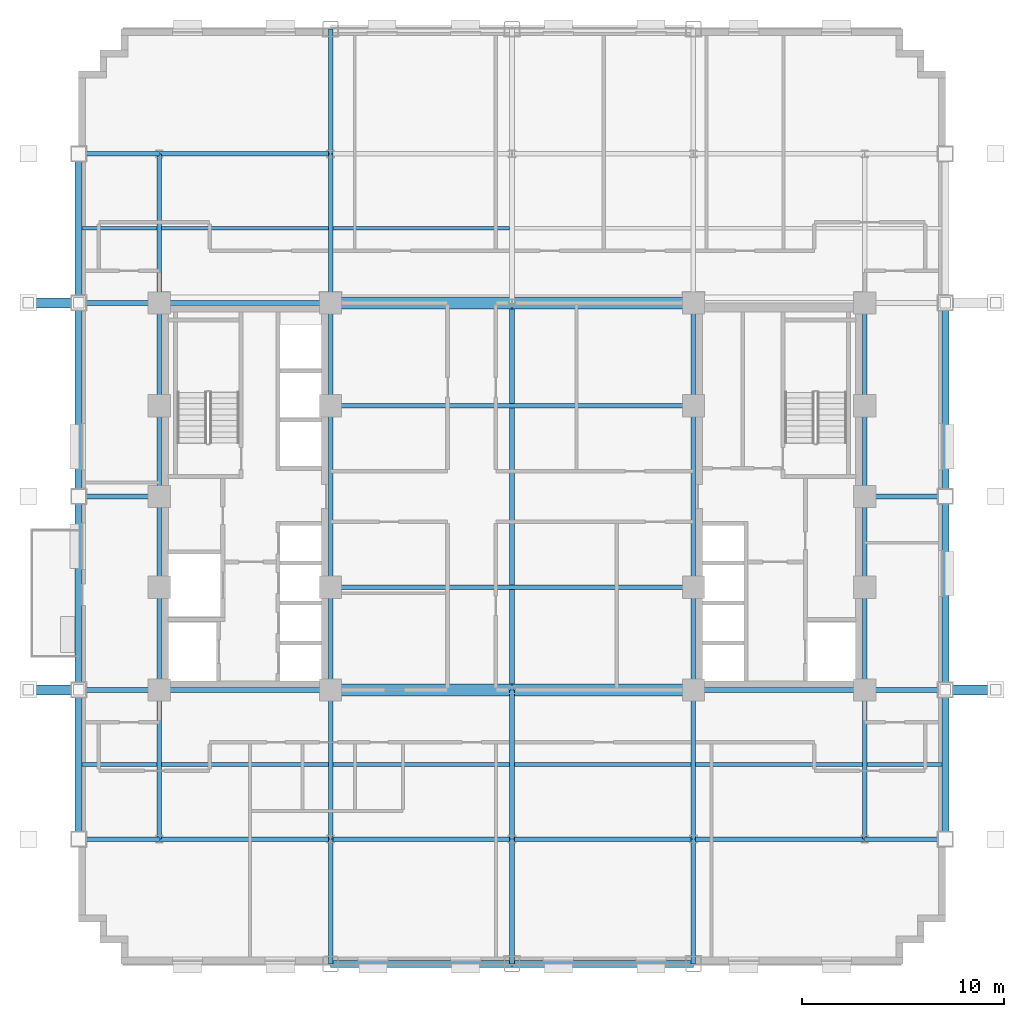
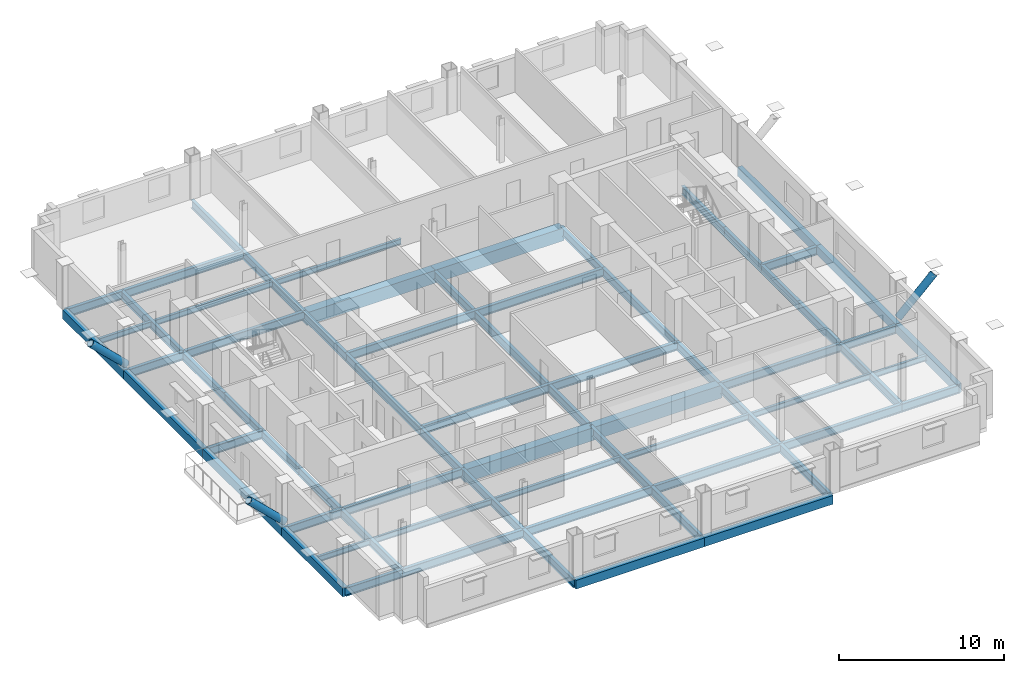
# One storey, part 4 of 13: 66 beams, 3 members.
"""IFC4 building model written with IfcOpenShell, lengths in metres."""

from ifc_helpers import new_model, si_unit, direction, frame, origin, origin_2d, place, context, subcontext, project, spatial, rectangle, hollow_circle, i_section, extrude, material, material_profile, profile_set, type_object, element, save


model = new_model("IFC4")

# Units and contexts
model_context = context("Model", 3, precision=1e-05, world=origin(), true_north=direction((0.0, 1.0)))
body_context = subcontext(model_context, "Body", "Model", "MODEL_VIEW")
ifc_project = project(units=[si_unit("LENGTHUNIT", "METRE"), si_unit("AREAUNIT", "SQUARE_METRE"), si_unit("VOLUMEUNIT", "CUBIC_METRE"), si_unit("PLANEANGLEUNIT", "RADIAN"), si_unit("MASSUNIT", "GRAM", prefix="KILO")], contexts=[model_context])

# Site, building, storey
site_placement = place(None, origin())
site = spatial("IfcSite", under=ifc_project, at=site_placement, CompositionType="ELEMENT")
building_placement = place(site_placement, origin())
building = spatial("IfcBuilding", under=site, at=building_placement, Name="Nuvemarco Arch Tower", CompositionType="ELEMENT")
storey_placement = place(building_placement, frame((0.0, 0.0, 82.35009765625)))
storey = spatial("IfcBuildingStorey", under=building, at=storey_placement, Name="L21", CompositionType="ELEMENT", Elevation=82.35009765625)

# Beams
ifc_material_1 = material(Name="Concrete C60/75", Category="concrete")
ifc_material_profile_1 = material_profile(ifc_material_1, rectangle(XDim=0.60009765625, YDim=0.949951171875, at=origin_2d()), Name="RC-BM-600x950")
ifc_profile_set_1 = profile_set([ifc_material_profile_1], Name="Concrete C60/75")
beam_type_1 = type_object("IfcBeamType", Name="BM-COUP-RC", PredefinedType="LINTEL", material=ifc_profile_set_1)
for number, where, z_axis, x_axis, name in (
    (1, (-9.0, -9.60009765625, -0.755126953125), (1.0, 0.0, 0.0), (0.0, 1.0, 0.0), "L21 structural beam BGEW_L21_0_-9.6_-9.0"),
    (2, (0.0, -9.60009765625, -0.755126953125), (1.0, 0.0, 0.0), (0.0, 1.0, 0.0), "L21 structural beam BGEW_L21_0_-9.6_+0.0"),
    (3, (-9.0, 9.60009765625, -0.755126953125), (1.0, 0.0, 0.0), (0.0, 1.0, 0.0), "L21 structural beam BGEW_L21_0_+9.6_-9.0"),
    (4, (0.0, 9.60009765625, -0.755126953125), (1.0, 0.0, 0.0), (0.0, 1.0, 0.0), "L21 structural beam BGEW_L21_0_+9.6_+0.0"),
):
    element("IfcBeam", number, at=place(storey_placement, frame(where, z_axis=z_axis, x_axis=x_axis)), inside=storey, type_object=beam_type_1, Name=name, PredefinedType="LINTEL", context=body_context, shape_type="SweptSolid", body=[
        extrude(rectangle(XDim=0.60009765625, YDim=0.949951171875, at=origin_2d()), origin(), (0.0, 0.0, 1.0), 9.0),
    ])
ifc_material_2 = material(Name="Steel S355", Category="steel")
ifc_material_profile_2 = material_profile(ifc_material_2, i_section(OverallWidth=0.22998046875, OverallDepth=0.616943359375, WebThickness=0.01318359375, FlangeThickness=0.022216796875, FilletRadius=0.01611328125, at=origin_2d()), Name="W610x140")
ifc_profile_set_2 = profile_set([ifc_material_profile_2], Name="Steel S355")
beam_type_2 = type_object("IfcBeamType", Name="BM-GIRD-610", PredefinedType="BEAM", material=ifc_profile_set_2)
beam_1_placement = place(storey_placement, frame((-17.5, -17.0, -0.588623046875), z_axis=(0.0, 1.0, 0.0), x_axis=(-1.0, 0.0, 0.0)))
element("IfcBeam", 5, at=beam_1_placement, inside=storey, type_object=beam_type_2, Name="L21 structural beam BGNS_L21_0_-17.5_-17.0", PredefinedType="BEAM", context=body_context, shape_type="SweptSolid", body=[
    extrude(i_section(OverallWidth=0.22998046875, OverallDepth=0.616943359375, WebThickness=0.01318359375, FlangeThickness=0.022216796875, FilletRadius=0.01611328125, at=origin_2d()), origin(), (0.0, 0.0, 1.0), 7.39990234375),
])
beam_2_placement = place(storey_placement, frame((-17.5, -9.60009765625, -0.588623046875), z_axis=(0.0, 1.0, 0.0), x_axis=(-1.0, 0.0, 0.0)))
element("IfcBeam", 6, at=beam_2_placement, inside=storey, type_object=beam_type_2, Name="L21 structural beam BGNS_L21_0_-17.5_-9.6", PredefinedType="BEAM", context=body_context, shape_type="SweptSolid", body=[
    extrude(i_section(OverallWidth=0.22998046875, OverallDepth=0.616943359375, WebThickness=0.01318359375, FlangeThickness=0.022216796875, FilletRadius=0.01611328125, at=origin_2d()), origin(), (0.0, 0.0, 1.0), 5.10009765625),
])
for number, where, z_axis, x_axis, name in (
    (7, (-17.5, -4.5, -0.588623046875), (0.0, 1.0, 0.0), (-1.0, 0.0, 0.0), "L21 structural beam BGNS_L21_0_-17.5_-4.5"),
    (8, (-17.5, 0.0, -0.588623046875), (0.0, 1.0, 0.0), (-1.0, 0.0, 0.0), "L21 structural beam BGNS_L21_0_-17.5_+0.0"),
):
    element("IfcBeam", number, at=place(storey_placement, frame(where, z_axis=z_axis, x_axis=x_axis)), inside=storey, type_object=beam_type_2, Name=name, PredefinedType="BEAM", context=body_context, shape_type="SweptSolid", body=[
        extrude(i_section(OverallWidth=0.22998046875, OverallDepth=0.616943359375, WebThickness=0.01318359375, FlangeThickness=0.022216796875, FilletRadius=0.01611328125, at=origin_2d()), origin(), (0.0, 0.0, 1.0), 4.5),
    ])
beam_3_placement = place(storey_placement, frame((-17.5, 4.5, -0.588623046875), z_axis=(0.0, 1.0, 0.0), x_axis=(-1.0, 0.0, 0.0)))
element("IfcBeam", 9, at=beam_3_placement, inside=storey, type_object=beam_type_2, Name="L21 structural beam BGNS_L21_0_-17.5_+4.5", PredefinedType="BEAM", context=body_context, shape_type="SweptSolid", body=[
    extrude(i_section(OverallWidth=0.22998046875, OverallDepth=0.616943359375, WebThickness=0.01318359375, FlangeThickness=0.022216796875, FilletRadius=0.01611328125, at=origin_2d()), origin(), (0.0, 0.0, 1.0), 5.10009765625),
])
beam_4_placement = place(storey_placement, frame((-17.5, 9.60009765625, -0.588623046875), z_axis=(0.0, 1.0, 0.0), x_axis=(-1.0, 0.0, 0.0)))
element("IfcBeam", 10, at=beam_4_placement, inside=storey, type_object=beam_type_2, Name="L21 structural beam BGNS_L21_0_-17.5_+9.6", PredefinedType="BEAM", context=body_context, shape_type="SweptSolid", body=[
    extrude(i_section(OverallWidth=0.22998046875, OverallDepth=0.616943359375, WebThickness=0.01318359375, FlangeThickness=0.022216796875, FilletRadius=0.01611328125, at=origin_2d()), origin(), (0.0, 0.0, 1.0), 7.39990234375),
])
beam_5_placement = place(storey_placement, frame((-9.0, -23.199951171875, -0.588623046875), z_axis=(0.0, 1.0, 0.0), x_axis=(-1.0, 0.0, 0.0)))
element("IfcBeam", 11, at=beam_5_placement, inside=storey, type_object=beam_type_2, Name="L21 structural beam BGNS_L21_0_-9.0_-23.2", PredefinedType="BEAM", context=body_context, shape_type="SweptSolid", body=[
    extrude(i_section(OverallWidth=0.22998046875, OverallDepth=0.616943359375, WebThickness=0.01318359375, FlangeThickness=0.022216796875, FilletRadius=0.01611328125, at=origin_2d()), origin(), (0.0, 0.0, 1.0), 6.199951171875),
])
beam_6_placement = place(storey_placement, frame((-9.0, -17.0, -0.588623046875), z_axis=(0.0, 1.0, 0.0), x_axis=(-1.0, 0.0, 0.0)))
element("IfcBeam", 12, at=beam_6_placement, inside=storey, type_object=beam_type_2, Name="L21 structural beam BGNS_L21_0_-9.0_-17.0", PredefinedType="BEAM", context=body_context, shape_type="SweptSolid", body=[
    extrude(i_section(OverallWidth=0.22998046875, OverallDepth=0.616943359375, WebThickness=0.01318359375, FlangeThickness=0.022216796875, FilletRadius=0.01611328125, at=origin_2d()), origin(), (0.0, 0.0, 1.0), 7.39990234375),
])
beam_7_placement = place(storey_placement, frame((-9.0, -9.60009765625, -0.588623046875), z_axis=(0.0, 1.0, 0.0), x_axis=(-1.0, 0.0, 0.0)))
element("IfcBeam", 13, at=beam_7_placement, inside=storey, type_object=beam_type_2, Name="L21 structural beam BGNS_L21_0_-9.0_-9.6", PredefinedType="BEAM", context=body_context, shape_type="SweptSolid", body=[
    extrude(i_section(OverallWidth=0.22998046875, OverallDepth=0.616943359375, WebThickness=0.01318359375, FlangeThickness=0.022216796875, FilletRadius=0.01611328125, at=origin_2d()), origin(), (0.0, 0.0, 1.0), 5.10009765625),
])
beam_8_placement = place(storey_placement, frame((-9.0, -4.5, -0.588623046875), z_axis=(0.0, 1.0, 0.0), x_axis=(-1.0, 0.0, 0.0)))
element("IfcBeam", 14, at=beam_8_placement, inside=storey, type_object=beam_type_2, Name="L21 structural beam BGNS_L21_0_-9.0_-4.5", PredefinedType="BEAM", context=body_context, shape_type="SweptSolid", body=[
    extrude(i_section(OverallWidth=0.22998046875, OverallDepth=0.616943359375, WebThickness=0.01318359375, FlangeThickness=0.022216796875, FilletRadius=0.01611328125, at=origin_2d()), origin(), (0.0, 0.0, 1.0), 9.0),
])
beam_9_placement = place(storey_placement, frame((-9.0, 4.5, -0.588623046875), z_axis=(0.0, 1.0, 0.0), x_axis=(-1.0, 0.0, 0.0)))
element("IfcBeam", 15, at=beam_9_placement, inside=storey, type_object=beam_type_2, Name="L21 structural beam BGNS_L21_0_-9.0_+4.5", PredefinedType="BEAM", context=body_context, shape_type="SweptSolid", body=[
    extrude(i_section(OverallWidth=0.22998046875, OverallDepth=0.616943359375, WebThickness=0.01318359375, FlangeThickness=0.022216796875, FilletRadius=0.01611328125, at=origin_2d()), origin(), (0.0, 0.0, 1.0), 5.10009765625),
])
beam_10_placement = place(storey_placement, frame((-9.0, 9.60009765625, -0.588623046875), z_axis=(0.0, 1.0, 0.0), x_axis=(-1.0, 0.0, 0.0)))
element("IfcBeam", 16, at=beam_10_placement, inside=storey, type_object=beam_type_2, Name="L21 structural beam BGNS_L21_0_-9.0_+9.6", PredefinedType="BEAM", context=body_context, shape_type="SweptSolid", body=[
    extrude(i_section(OverallWidth=0.22998046875, OverallDepth=0.616943359375, WebThickness=0.01318359375, FlangeThickness=0.022216796875, FilletRadius=0.01611328125, at=origin_2d()), origin(), (0.0, 0.0, 1.0), 7.39990234375),
])
for number, where, z_axis, x_axis, name in (
    (17, (-9.0, 17.0, -0.588623046875), (0.0, 1.0, 0.0), (-1.0, 0.0, 0.0), "L21 structural beam BGNS_L21_0_-9.0_+17.0"),
    (18, (0.0, -23.199951171875, -0.588623046875), (0.0, 1.0, 0.0), (-1.0, 0.0, 0.0), "L21 structural beam BGNS_L21_0_+0.0_-23.2"),
):
    element("IfcBeam", number, at=place(storey_placement, frame(where, z_axis=z_axis, x_axis=x_axis)), inside=storey, type_object=beam_type_2, Name=name, PredefinedType="BEAM", context=body_context, shape_type="SweptSolid", body=[
        extrude(i_section(OverallWidth=0.22998046875, OverallDepth=0.616943359375, WebThickness=0.01318359375, FlangeThickness=0.022216796875, FilletRadius=0.01611328125, at=origin_2d()), origin(), (0.0, 0.0, 1.0), 6.199951171875),
    ])
beam_11_placement = place(storey_placement, frame((0.0, -17.0, -0.588623046875), z_axis=(0.0, 1.0, 0.0), x_axis=(-1.0, 0.0, 0.0)))
element("IfcBeam", 19, at=beam_11_placement, inside=storey, type_object=beam_type_2, Name="L21 structural beam BGNS_L21_0_+0.0_-17.0", PredefinedType="BEAM", context=body_context, shape_type="SweptSolid", body=[
    extrude(i_section(OverallWidth=0.22998046875, OverallDepth=0.616943359375, WebThickness=0.01318359375, FlangeThickness=0.022216796875, FilletRadius=0.01611328125, at=origin_2d()), origin(), (0.0, 0.0, 1.0), 7.39990234375),
])
beam_12_placement = place(storey_placement, frame((0.0, -9.60009765625, -0.588623046875), z_axis=(0.0, 1.0, 0.0), x_axis=(-1.0, 0.0, 0.0)))
element("IfcBeam", 20, at=beam_12_placement, inside=storey, type_object=beam_type_2, Name="L21 structural beam BGNS_L21_0_+0.0_-9.6", PredefinedType="BEAM", context=body_context, shape_type="SweptSolid", body=[
    extrude(i_section(OverallWidth=0.22998046875, OverallDepth=0.616943359375, WebThickness=0.01318359375, FlangeThickness=0.022216796875, FilletRadius=0.01611328125, at=origin_2d()), origin(), (0.0, 0.0, 1.0), 19.2001953125),
])
beam_13_placement = place(storey_placement, frame((9.0, -23.199951171875, -0.588623046875), z_axis=(0.0, 1.0, 0.0), x_axis=(-1.0, 0.0, 0.0)))
element("IfcBeam", 21, at=beam_13_placement, inside=storey, type_object=beam_type_2, Name="L21 structural beam BGNS_L21_0_+9.0_-23.2", PredefinedType="BEAM", context=body_context, shape_type="SweptSolid", body=[
    extrude(i_section(OverallWidth=0.22998046875, OverallDepth=0.616943359375, WebThickness=0.01318359375, FlangeThickness=0.022216796875, FilletRadius=0.01611328125, at=origin_2d()), origin(), (0.0, 0.0, 1.0), 6.199951171875),
])
beam_14_placement = place(storey_placement, frame((9.0, -17.0, -0.588623046875), z_axis=(0.0, 1.0, 0.0), x_axis=(-1.0, 0.0, 0.0)))
element("IfcBeam", 22, at=beam_14_placement, inside=storey, type_object=beam_type_2, Name="L21 structural beam BGNS_L21_0_+9.0_-17.0", PredefinedType="BEAM", context=body_context, shape_type="SweptSolid", body=[
    extrude(i_section(OverallWidth=0.22998046875, OverallDepth=0.616943359375, WebThickness=0.01318359375, FlangeThickness=0.022216796875, FilletRadius=0.01611328125, at=origin_2d()), origin(), (0.0, 0.0, 1.0), 7.39990234375),
])
beam_15_placement = place(storey_placement, frame((9.0, -9.60009765625, -0.588623046875), z_axis=(0.0, 1.0, 0.0), x_axis=(-1.0, 0.0, 0.0)))
element("IfcBeam", 23, at=beam_15_placement, inside=storey, type_object=beam_type_2, Name="L21 structural beam BGNS_L21_0_+9.0_-9.6", PredefinedType="BEAM", context=body_context, shape_type="SweptSolid", body=[
    extrude(i_section(OverallWidth=0.22998046875, OverallDepth=0.616943359375, WebThickness=0.01318359375, FlangeThickness=0.022216796875, FilletRadius=0.01611328125, at=origin_2d()), origin(), (0.0, 0.0, 1.0), 5.10009765625),
])
beam_16_placement = place(storey_placement, frame((9.0, -4.5, -0.588623046875), z_axis=(0.0, 1.0, 0.0), x_axis=(-1.0, 0.0, 0.0)))
element("IfcBeam", 24, at=beam_16_placement, inside=storey, type_object=beam_type_2, Name="L21 structural beam BGNS_L21_0_+9.0_-4.5", PredefinedType="BEAM", context=body_context, shape_type="SweptSolid", body=[
    extrude(i_section(OverallWidth=0.22998046875, OverallDepth=0.616943359375, WebThickness=0.01318359375, FlangeThickness=0.022216796875, FilletRadius=0.01611328125, at=origin_2d()), origin(), (0.0, 0.0, 1.0), 9.0),
])
beam_17_placement = place(storey_placement, frame((9.0, 4.5, -0.588623046875), z_axis=(0.0, 1.0, 0.0), x_axis=(-1.0, 0.0, 0.0)))
element("IfcBeam", 25, at=beam_17_placement, inside=storey, type_object=beam_type_2, Name="L21 structural beam BGNS_L21_0_+9.0_+4.5", PredefinedType="BEAM", context=body_context, shape_type="SweptSolid", body=[
    extrude(i_section(OverallWidth=0.22998046875, OverallDepth=0.616943359375, WebThickness=0.01318359375, FlangeThickness=0.022216796875, FilletRadius=0.01611328125, at=origin_2d()), origin(), (0.0, 0.0, 1.0), 5.10009765625),
])
beam_18_placement = place(storey_placement, frame((17.5, -17.0, -0.588623046875), z_axis=(0.0, 1.0, 0.0), x_axis=(-1.0, 0.0, 0.0)))
element("IfcBeam", 26, at=beam_18_placement, inside=storey, type_object=beam_type_2, Name="L21 structural beam BGNS_L21_0_+17.5_-17.0", PredefinedType="BEAM", context=body_context, shape_type="SweptSolid", body=[
    extrude(i_section(OverallWidth=0.22998046875, OverallDepth=0.616943359375, WebThickness=0.01318359375, FlangeThickness=0.022216796875, FilletRadius=0.01611328125, at=origin_2d()), origin(), (0.0, 0.0, 1.0), 7.39990234375),
])
beam_19_placement = place(storey_placement, frame((17.5, -9.60009765625, -0.588623046875), z_axis=(0.0, 1.0, 0.0), x_axis=(-1.0, 0.0, 0.0)))
element("IfcBeam", 27, at=beam_19_placement, inside=storey, type_object=beam_type_2, Name="L21 structural beam BGNS_L21_0_+17.5_-9.6", PredefinedType="BEAM", context=body_context, shape_type="SweptSolid", body=[
    extrude(i_section(OverallWidth=0.22998046875, OverallDepth=0.616943359375, WebThickness=0.01318359375, FlangeThickness=0.022216796875, FilletRadius=0.01611328125, at=origin_2d()), origin(), (0.0, 0.0, 1.0), 5.10009765625),
])
for number, where, z_axis, x_axis, name in (
    (28, (17.5, -4.5, -0.588623046875), (0.0, 1.0, 0.0), (-1.0, 0.0, 0.0), "L21 structural beam BGNS_L21_0_+17.5_-4.5"),
    (29, (17.5, 0.0, -0.588623046875), (0.0, 1.0, 0.0), (-1.0, 0.0, 0.0), "L21 structural beam BGNS_L21_0_+17.5_+0.0"),
):
    element("IfcBeam", number, at=place(storey_placement, frame(where, z_axis=z_axis, x_axis=x_axis)), inside=storey, type_object=beam_type_2, Name=name, PredefinedType="BEAM", context=body_context, shape_type="SweptSolid", body=[
        extrude(i_section(OverallWidth=0.22998046875, OverallDepth=0.616943359375, WebThickness=0.01318359375, FlangeThickness=0.022216796875, FilletRadius=0.01611328125, at=origin_2d()), origin(), (0.0, 0.0, 1.0), 4.5),
    ])
beam_20_placement = place(storey_placement, frame((17.5, 4.5, -0.588623046875), z_axis=(0.0, 1.0, 0.0), x_axis=(-1.0, 0.0, 0.0)))
element("IfcBeam", 30, at=beam_20_placement, inside=storey, type_object=beam_type_2, Name="L21 structural beam BGNS_L21_0_+17.5_+4.5", PredefinedType="BEAM", context=body_context, shape_type="SweptSolid", body=[
    extrude(i_section(OverallWidth=0.22998046875, OverallDepth=0.616943359375, WebThickness=0.01318359375, FlangeThickness=0.022216796875, FilletRadius=0.01611328125, at=origin_2d()), origin(), (0.0, 0.0, 1.0), 5.10009765625),
])
beam_21_placement = place(storey_placement, frame((-21.5, -17.0, -0.588623046875), z_axis=(1.0, 0.0, 0.0), x_axis=(0.0, 1.0, 0.0)))
element("IfcBeam", 31, at=beam_21_placement, inside=storey, type_object=beam_type_2, Name="L21 structural beam BGEW_L21_0_-17.0_-21.5", PredefinedType="BEAM", context=body_context, shape_type="SweptSolid", body=[
    extrude(i_section(OverallWidth=0.22998046875, OverallDepth=0.616943359375, WebThickness=0.01318359375, FlangeThickness=0.022216796875, FilletRadius=0.01611328125, at=origin_2d()), origin(), (0.0, 0.0, 1.0), 4.0),
])
beam_22_placement = place(storey_placement, frame((-17.5, -17.0, -0.588623046875), z_axis=(1.0, 0.0, 0.0), x_axis=(0.0, 1.0, 0.0)))
element("IfcBeam", 32, at=beam_22_placement, inside=storey, type_object=beam_type_2, Name="L21 structural beam BGEW_L21_0_-17.0_-17.5", PredefinedType="BEAM", context=body_context, shape_type="SweptSolid", body=[
    extrude(i_section(OverallWidth=0.22998046875, OverallDepth=0.616943359375, WebThickness=0.01318359375, FlangeThickness=0.022216796875, FilletRadius=0.01611328125, at=origin_2d()), origin(), (0.0, 0.0, 1.0), 8.5),
])
for number, where, z_axis, x_axis, name in (
    (33, (-9.0, -17.0, -0.588623046875), (1.0, 0.0, 0.0), (0.0, 1.0, 0.0), "L21 structural beam BGEW_L21_0_-17.0_-9.0"),
    (34, (0.0, -17.0, -0.588623046875), (1.0, 0.0, 0.0), (0.0, 1.0, 0.0), "L21 structural beam BGEW_L21_0_-17.0_+0.0"),
):
    element("IfcBeam", number, at=place(storey_placement, frame(where, z_axis=z_axis, x_axis=x_axis)), inside=storey, type_object=beam_type_2, Name=name, PredefinedType="BEAM", context=body_context, shape_type="SweptSolid", body=[
        extrude(i_section(OverallWidth=0.22998046875, OverallDepth=0.616943359375, WebThickness=0.01318359375, FlangeThickness=0.022216796875, FilletRadius=0.01611328125, at=origin_2d()), origin(), (0.0, 0.0, 1.0), 9.0),
    ])
beam_23_placement = place(storey_placement, frame((9.0, -17.0, -0.588623046875), z_axis=(1.0, 0.0, 0.0), x_axis=(0.0, 1.0, 0.0)))
element("IfcBeam", 35, at=beam_23_placement, inside=storey, type_object=beam_type_2, Name="L21 structural beam BGEW_L21_0_-17.0_+9.0", PredefinedType="BEAM", context=body_context, shape_type="SweptSolid", body=[
    extrude(i_section(OverallWidth=0.22998046875, OverallDepth=0.616943359375, WebThickness=0.01318359375, FlangeThickness=0.022216796875, FilletRadius=0.01611328125, at=origin_2d()), origin(), (0.0, 0.0, 1.0), 8.5),
])
for number, where, z_axis, x_axis, name in (
    (36, (17.5, -17.0, -0.588623046875), (1.0, 0.0, 0.0), (0.0, 1.0, 0.0), "L21 structural beam BGEW_L21_0_-17.0_+17.5"),
    (37, (-21.5, -9.60009765625, -0.588623046875), (1.0, 0.0, 0.0), (0.0, 1.0, 0.0), "L21 structural beam BGEW_L21_0_-9.6_-21.5"),
):
    element("IfcBeam", number, at=place(storey_placement, frame(where, z_axis=z_axis, x_axis=x_axis)), inside=storey, type_object=beam_type_2, Name=name, PredefinedType="BEAM", context=body_context, shape_type="SweptSolid", body=[
        extrude(i_section(OverallWidth=0.22998046875, OverallDepth=0.616943359375, WebThickness=0.01318359375, FlangeThickness=0.022216796875, FilletRadius=0.01611328125, at=origin_2d()), origin(), (0.0, 0.0, 1.0), 4.0),
    ])
for number, where, z_axis, x_axis, name in (
    (38, (-17.5, -9.60009765625, -0.588623046875), (1.0, 0.0, 0.0), (0.0, 1.0, 0.0), "L21 structural beam BGEW_L21_0_-9.6_-17.5"),
    (39, (9.0, -9.60009765625, -0.588623046875), (1.0, 0.0, 0.0), (0.0, 1.0, 0.0), "L21 structural beam BGEW_L21_0_-9.6_+9.0"),
):
    element("IfcBeam", number, at=place(storey_placement, frame(where, z_axis=z_axis, x_axis=x_axis)), inside=storey, type_object=beam_type_2, Name=name, PredefinedType="BEAM", context=body_context, shape_type="SweptSolid", body=[
        extrude(i_section(OverallWidth=0.22998046875, OverallDepth=0.616943359375, WebThickness=0.01318359375, FlangeThickness=0.022216796875, FilletRadius=0.01611328125, at=origin_2d()), origin(), (0.0, 0.0, 1.0), 8.5),
    ])
beam_24_placement = place(storey_placement, frame((17.5, -9.60009765625, -0.588623046875), z_axis=(1.0, 0.0, 0.0), x_axis=(0.0, 1.0, 0.0)))
element("IfcBeam", 40, at=beam_24_placement, inside=storey, type_object=beam_type_2, Name="L21 structural beam BGEW_L21_0_-9.6_+17.5", PredefinedType="BEAM", context=body_context, shape_type="SweptSolid", body=[
    extrude(i_section(OverallWidth=0.22998046875, OverallDepth=0.616943359375, WebThickness=0.01318359375, FlangeThickness=0.022216796875, FilletRadius=0.01611328125, at=origin_2d()), origin(), (0.0, 0.0, 1.0), 4.0),
])
beam_25_placement = place(storey_placement, frame((-9.0, -4.5, -0.588623046875), z_axis=(1.0, 0.0, 0.0), x_axis=(0.0, 1.0, 0.0)))
element("IfcBeam", 41, at=beam_25_placement, inside=storey, type_object=beam_type_2, Name="L21 structural beam BGEW_L21_0_-4.5_-9.0", PredefinedType="BEAM", context=body_context, shape_type="SweptSolid", body=[
    extrude(i_section(OverallWidth=0.22998046875, OverallDepth=0.616943359375, WebThickness=0.01318359375, FlangeThickness=0.022216796875, FilletRadius=0.01611328125, at=origin_2d()), origin(), (0.0, 0.0, 1.0), 18.0),
])
for number, where, z_axis, x_axis, name in (
    (42, (-21.5, 0.0, -0.588623046875), (1.0, 0.0, 0.0), (0.0, 1.0, 0.0), "L21 structural beam BGEW_L21_0_+0.0_-21.5"),
    (43, (17.5, 0.0, -0.588623046875), (1.0, 0.0, 0.0), (0.0, 1.0, 0.0), "L21 structural beam BGEW_L21_0_+0.0_+17.5"),
):
    element("IfcBeam", number, at=place(storey_placement, frame(where, z_axis=z_axis, x_axis=x_axis)), inside=storey, type_object=beam_type_2, Name=name, PredefinedType="BEAM", context=body_context, shape_type="SweptSolid", body=[
        extrude(i_section(OverallWidth=0.22998046875, OverallDepth=0.616943359375, WebThickness=0.01318359375, FlangeThickness=0.022216796875, FilletRadius=0.01611328125, at=origin_2d()), origin(), (0.0, 0.0, 1.0), 4.0),
    ])
beam_26_placement = place(storey_placement, frame((-9.0, 4.5, -0.588623046875), z_axis=(1.0, 0.0, 0.0), x_axis=(0.0, 1.0, 0.0)))
element("IfcBeam", 44, at=beam_26_placement, inside=storey, type_object=beam_type_2, Name="L21 structural beam BGEW_L21_0_+4.5_-9.0", PredefinedType="BEAM", context=body_context, shape_type="SweptSolid", body=[
    extrude(i_section(OverallWidth=0.22998046875, OverallDepth=0.616943359375, WebThickness=0.01318359375, FlangeThickness=0.022216796875, FilletRadius=0.01611328125, at=origin_2d()), origin(), (0.0, 0.0, 1.0), 18.0),
])
beam_27_placement = place(storey_placement, frame((-21.5, 9.60009765625, -0.588623046875), z_axis=(1.0, 0.0, 0.0), x_axis=(0.0, 1.0, 0.0)))
element("IfcBeam", 45, at=beam_27_placement, inside=storey, type_object=beam_type_2, Name="L21 structural beam BGEW_L21_0_+9.6_-21.5", PredefinedType="BEAM", context=body_context, shape_type="SweptSolid", body=[
    extrude(i_section(OverallWidth=0.22998046875, OverallDepth=0.616943359375, WebThickness=0.01318359375, FlangeThickness=0.022216796875, FilletRadius=0.01611328125, at=origin_2d()), origin(), (0.0, 0.0, 1.0), 4.0),
])
beam_28_placement = place(storey_placement, frame((-17.5, 9.60009765625, -0.588623046875), z_axis=(1.0, 0.0, 0.0), x_axis=(0.0, 1.0, 0.0)))
element("IfcBeam", 46, at=beam_28_placement, inside=storey, type_object=beam_type_2, Name="L21 structural beam BGEW_L21_0_+9.6_-17.5", PredefinedType="BEAM", context=body_context, shape_type="SweptSolid", body=[
    extrude(i_section(OverallWidth=0.22998046875, OverallDepth=0.616943359375, WebThickness=0.01318359375, FlangeThickness=0.022216796875, FilletRadius=0.01611328125, at=origin_2d()), origin(), (0.0, 0.0, 1.0), 8.5),
])
beam_29_placement = place(storey_placement, frame((-21.5, 17.0, -0.588623046875), z_axis=(1.0, 0.0, 0.0), x_axis=(0.0, 1.0, 0.0)))
element("IfcBeam", 47, at=beam_29_placement, inside=storey, type_object=beam_type_2, Name="L21 structural beam BGEW_L21_0_+17.0_-21.5", PredefinedType="BEAM", context=body_context, shape_type="SweptSolid", body=[
    extrude(i_section(OverallWidth=0.22998046875, OverallDepth=0.616943359375, WebThickness=0.01318359375, FlangeThickness=0.022216796875, FilletRadius=0.01611328125, at=origin_2d()), origin(), (0.0, 0.0, 1.0), 4.0),
])
beam_30_placement = place(storey_placement, frame((-17.5, 17.0, -0.588623046875), z_axis=(1.0, 0.0, 0.0), x_axis=(0.0, 1.0, 0.0)))
element("IfcBeam", 48, at=beam_30_placement, inside=storey, type_object=beam_type_2, Name="L21 structural beam BGEW_L21_0_+17.0_-17.5", PredefinedType="BEAM", context=body_context, shape_type="SweptSolid", body=[
    extrude(i_section(OverallWidth=0.22998046875, OverallDepth=0.616943359375, WebThickness=0.01318359375, FlangeThickness=0.022216796875, FilletRadius=0.01611328125, at=origin_2d()), origin(), (0.0, 0.0, 1.0), 8.5),
])
ifc_material_profile_3 = material_profile(ifc_material_2, i_section(OverallWidth=0.179931640625, OverallDepth=0.4130859375, WebThickness=0.009765625, FlangeThickness=0.01611328125, FilletRadius=0.014892578125, at=origin_2d()), Name="W410x75")
ifc_profile_set_3 = profile_set([ifc_material_profile_3], Name="Steel S355")
beam_type_3 = type_object("IfcBeamType", Name="BM-JOIST-410", PredefinedType="JOIST", material=ifc_profile_set_3)
beam_31_placement = place(storey_placement, frame((-21.324951171875, -13.300048828125, -0.486572265625), z_axis=(1.0, 0.0, 0.0), x_axis=(0.0, 1.0, 0.0)))
element("IfcBeam", 49, at=beam_31_placement, inside=storey, type_object=beam_type_3, Name="L21 structural beam BJ_L21_0_-13.3_-21.5", PredefinedType="JOIST", context=body_context, shape_type="SweptSolid", body=[
    extrude(i_section(OverallWidth=0.179931640625, OverallDepth=0.4130859375, WebThickness=0.009765625, FlangeThickness=0.01611328125, FilletRadius=0.014892578125, at=origin_2d()), origin(), (0.0, 0.0, 1.0), 3.7099609375),
])
beam_32_placement = place(storey_placement, frame((-17.385009765625, -13.300048828125, -0.486572265625), z_axis=(1.0, 0.0, 0.0), x_axis=(0.0, 1.0, 0.0)))
element("IfcBeam", 50, at=beam_32_placement, inside=storey, type_object=beam_type_3, Name="L21 structural beam BJ_L21_0_-13.3_-17.5", PredefinedType="JOIST", context=body_context, shape_type="SweptSolid", body=[
    extrude(i_section(OverallWidth=0.179931640625, OverallDepth=0.4130859375, WebThickness=0.009765625, FlangeThickness=0.01611328125, FilletRadius=0.014892578125, at=origin_2d()), origin(), (0.0, 0.0, 1.0), 8.27001953125),
])
for number, where, z_axis, x_axis, name in (
    (51, (-8.885009765625, -13.300048828125, -0.486572265625), (1.0, 0.0, 0.0), (0.0, 1.0, 0.0), "L21 structural beam BJ_L21_0_-13.3_-9.0"),
    (52, (0.114990234375, -13.300048828125, -0.486572265625), (1.0, 0.0, 0.0), (0.0, 1.0, 0.0), "L21 structural beam BJ_L21_0_-13.3_+0.0"),
):
    element("IfcBeam", number, at=place(storey_placement, frame(where, z_axis=z_axis, x_axis=x_axis)), inside=storey, type_object=beam_type_3, Name=name, PredefinedType="JOIST", context=body_context, shape_type="SweptSolid", body=[
        extrude(i_section(OverallWidth=0.179931640625, OverallDepth=0.4130859375, WebThickness=0.009765625, FlangeThickness=0.01611328125, FilletRadius=0.014892578125, at=origin_2d()), origin(), (0.0, 0.0, 1.0), 8.77001953125),
    ])
beam_33_placement = place(storey_placement, frame((9.114990234375, -13.300048828125, -0.486572265625), z_axis=(1.0, 0.0, 0.0), x_axis=(0.0, 1.0, 0.0)))
element("IfcBeam", 53, at=beam_33_placement, inside=storey, type_object=beam_type_3, Name="L21 structural beam BJ_L21_0_-13.3_+9.0", PredefinedType="JOIST", context=body_context, shape_type="SweptSolid", body=[
    extrude(i_section(OverallWidth=0.179931640625, OverallDepth=0.4130859375, WebThickness=0.009765625, FlangeThickness=0.01611328125, FilletRadius=0.014892578125, at=origin_2d()), origin(), (0.0, 0.0, 1.0), 8.27001953125),
])
for number, where, z_axis, x_axis, name in (
    (54, (17.614990234375, -13.300048828125, -0.486572265625), (1.0, 0.0, 0.0), (0.0, 1.0, 0.0), "L21 structural beam BJ_L21_0_-13.3_+17.5"),
    (55, (-21.324951171875, 13.300048828125, -0.486572265625), (1.0, 0.0, 0.0), (0.0, 1.0, 0.0), "L21 structural beam BJ_L21_0_+13.3_-21.5"),
):
    element("IfcBeam", number, at=place(storey_placement, frame(where, z_axis=z_axis, x_axis=x_axis)), inside=storey, type_object=beam_type_3, Name=name, PredefinedType="JOIST", context=body_context, shape_type="SweptSolid", body=[
        extrude(i_section(OverallWidth=0.179931640625, OverallDepth=0.4130859375, WebThickness=0.009765625, FlangeThickness=0.01611328125, FilletRadius=0.014892578125, at=origin_2d()), origin(), (0.0, 0.0, 1.0), 3.7099609375),
    ])
beam_34_placement = place(storey_placement, frame((-17.385009765625, 13.300048828125, -0.486572265625), z_axis=(1.0, 0.0, 0.0), x_axis=(0.0, 1.0, 0.0)))
element("IfcBeam", 56, at=beam_34_placement, inside=storey, type_object=beam_type_3, Name="L21 structural beam BJ_L21_0_+13.3_-17.5", PredefinedType="JOIST", context=body_context, shape_type="SweptSolid", body=[
    extrude(i_section(OverallWidth=0.179931640625, OverallDepth=0.4130859375, WebThickness=0.009765625, FlangeThickness=0.01611328125, FilletRadius=0.014892578125, at=origin_2d()), origin(), (0.0, 0.0, 1.0), 8.27001953125),
])
beam_35_placement = place(storey_placement, frame((-8.885009765625, 13.300048828125, -0.486572265625), z_axis=(1.0, 0.0, 0.0), x_axis=(0.0, 1.0, 0.0)))
element("IfcBeam", 57, at=beam_35_placement, inside=storey, type_object=beam_type_3, Name="L21 structural beam BJ_L21_0_+13.3_-9.0", PredefinedType="JOIST", context=body_context, shape_type="SweptSolid", body=[
    extrude(i_section(OverallWidth=0.179931640625, OverallDepth=0.4130859375, WebThickness=0.009765625, FlangeThickness=0.01611328125, FilletRadius=0.014892578125, at=origin_2d()), origin(), (0.0, 0.0, 1.0), 8.77001953125),
])
ifc_material_3 = material(Name="Precast concrete C45/55", Category="concrete")
ifc_material_profile_4 = material_profile(ifc_material_3, rectangle(XDim=0.35009765625, YDim=0.64990234375, at=origin_2d()), Name="PC-SP-350x650")
ifc_profile_set_4 = profile_set([ifc_material_profile_4], Name="Precast concrete C45/55")
beam_type_4 = type_object("IfcBeamType", Name="BM-SPAN-RC", PredefinedType="SPANDREL", material=ifc_profile_set_4)
beam_36_placement = place(storey_placement, frame((-21.5, -17.0, -0.60498046875), z_axis=(0.0, 1.0, 0.0), x_axis=(-1.0, 0.0, 0.0)))
element("IfcBeam", 58, at=beam_36_placement, inside=storey, type_object=beam_type_4, Name="L21 structural beam BGNS_L21_0_-21.5_-17.0", PredefinedType="SPANDREL", context=body_context, shape_type="SweptSolid", body=[
    extrude(rectangle(XDim=0.35009765625, YDim=0.64990234375, at=origin_2d()), origin(), (0.0, 0.0, 1.0), 7.39990234375),
])
for number, where, z_axis, x_axis, name in (
    (59, (-21.5, -9.60009765625, -0.60498046875), (0.0, 1.0, 0.0), (-1.0, 0.0, 0.0), "L21 structural beam BGNS_L21_0_-21.5_-9.6"),
    (60, (-21.5, 0.0, -0.60498046875), (0.0, 1.0, 0.0), (-1.0, 0.0, 0.0), "L21 structural beam BGNS_L21_0_-21.5_+0.0"),
):
    element("IfcBeam", number, at=place(storey_placement, frame(where, z_axis=z_axis, x_axis=x_axis)), inside=storey, type_object=beam_type_4, Name=name, PredefinedType="SPANDREL", context=body_context, shape_type="SweptSolid", body=[
        extrude(rectangle(XDim=0.35009765625, YDim=0.64990234375, at=origin_2d()), origin(), (0.0, 0.0, 1.0), 9.60009765625),
    ])
for number, where, z_axis, x_axis, name in (
    (61, (-21.5, 9.60009765625, -0.60498046875), (0.0, 1.0, 0.0), (-1.0, 0.0, 0.0), "L21 structural beam BGNS_L21_0_-21.5_+9.6"),
    (62, (21.5, -17.0, -0.60498046875), (0.0, 1.0, 0.0), (-1.0, 0.0, 0.0), "L21 structural beam BGNS_L21_0_+21.5_-17.0"),
):
    element("IfcBeam", number, at=place(storey_placement, frame(where, z_axis=z_axis, x_axis=x_axis)), inside=storey, type_object=beam_type_4, Name=name, PredefinedType="SPANDREL", context=body_context, shape_type="SweptSolid", body=[
        extrude(rectangle(XDim=0.35009765625, YDim=0.64990234375, at=origin_2d()), origin(), (0.0, 0.0, 1.0), 7.39990234375),
    ])
for number, where, z_axis, x_axis, name in (
    (63, (21.5, -9.60009765625, -0.60498046875), (0.0, 1.0, 0.0), (-1.0, 0.0, 0.0), "L21 structural beam BGNS_L21_0_+21.5_-9.6"),
    (64, (21.5, 0.0, -0.60498046875), (0.0, 1.0, 0.0), (-1.0, 0.0, 0.0), "L21 structural beam BGNS_L21_0_+21.5_+0.0"),
):
    element("IfcBeam", number, at=place(storey_placement, frame(where, z_axis=z_axis, x_axis=x_axis)), inside=storey, type_object=beam_type_4, Name=name, PredefinedType="SPANDREL", context=body_context, shape_type="SweptSolid", body=[
        extrude(rectangle(XDim=0.35009765625, YDim=0.64990234375, at=origin_2d()), origin(), (0.0, 0.0, 1.0), 9.60009765625),
    ])
for number, where, z_axis, x_axis, name in (
    (65, (-9.0, -23.199951171875, -0.60498046875), (1.0, 0.0, 0.0), (0.0, 1.0, 0.0), "L21 structural beam BGEW_L21_0_-23.2_-9.0"),
    (66, (0.0, -23.199951171875, -0.60498046875), (1.0, 0.0, 0.0), (0.0, 1.0, 0.0), "L21 structural beam BGEW_L21_0_-23.2_+0.0"),
):
    element("IfcBeam", number, at=place(storey_placement, frame(where, z_axis=z_axis, x_axis=x_axis)), inside=storey, type_object=beam_type_4, Name=name, PredefinedType="SPANDREL", context=body_context, shape_type="SweptSolid", body=[
        extrude(rectangle(XDim=0.35009765625, YDim=0.64990234375, at=origin_2d()), origin(), (0.0, 0.0, 1.0), 9.0),
    ])

# Members
ifc_material_profile_5 = material_profile(ifc_material_2, hollow_circle(Radius=0.25390625, WallThickness=0.031982421875, at=origin_2d()), Name="CHS508x32")
ifc_profile_set_5 = profile_set([ifc_material_profile_5], Name="Steel S355")
member_type = type_object("IfcMemberType", Name="MB-RAKER-CANT", PredefinedType="STRUT", material=ifc_profile_set_5)
for number, where, z_axis, x_axis, name in (
    (67, (-21.5, -9.60009765625, 0.14990234375), (-0.721401399021, 0.0, 0.692517163318), (0.0, -1.0, 0.0), "L21 outward-step steel raker strut W"),
    (68, (21.5, -9.60009765625, 0.14990234375), (0.721401399021, 0.0, 0.692517163318), (0.0, 1.0, 0.0), "L21 outward-step steel raker strut E"),
    (69, (-21.5, 9.60009765625, 0.14990234375), (-0.721401399021, 0.0, 0.692517163318), (0.0, -1.0, 0.0), "L21 outward-step steel raker strut W"),
):
    element("IfcMember", number, at=place(storey_placement, frame(where, z_axis=z_axis, x_axis=x_axis)), inside=storey, type_object=member_type, Name=name, PredefinedType="STRUT", context=body_context, shape_type="SweptSolid", body=[
        extrude(hollow_circle(Radius=0.25390625, WallThickness=0.031982421875, at=origin_2d()), origin(), (0.0, 0.0, 1.0), 3.465576171875),
    ])

save(model, "model.ifc")
